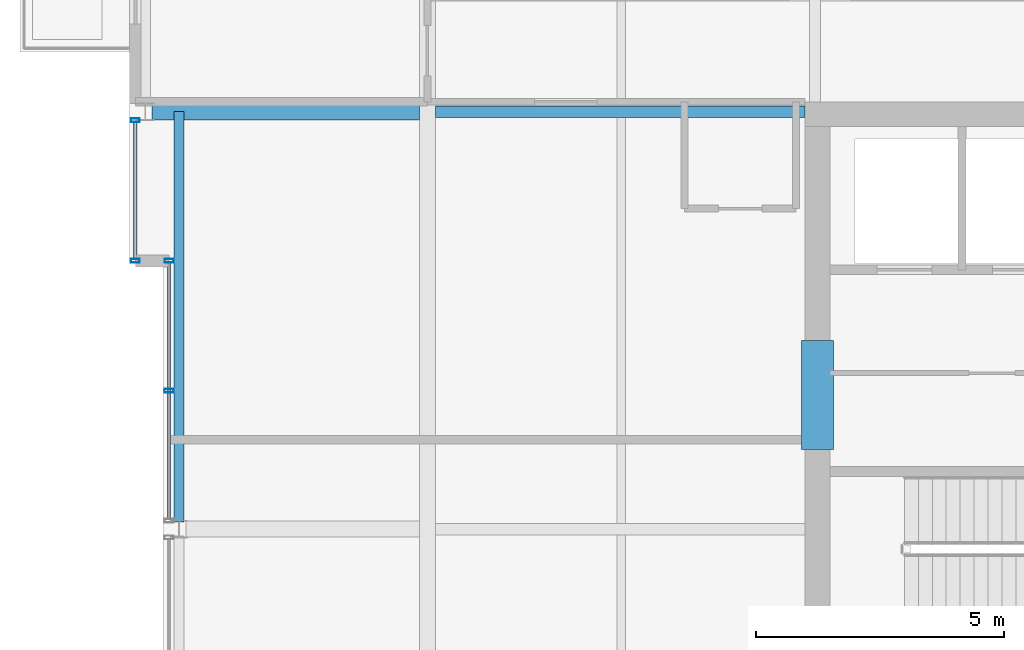
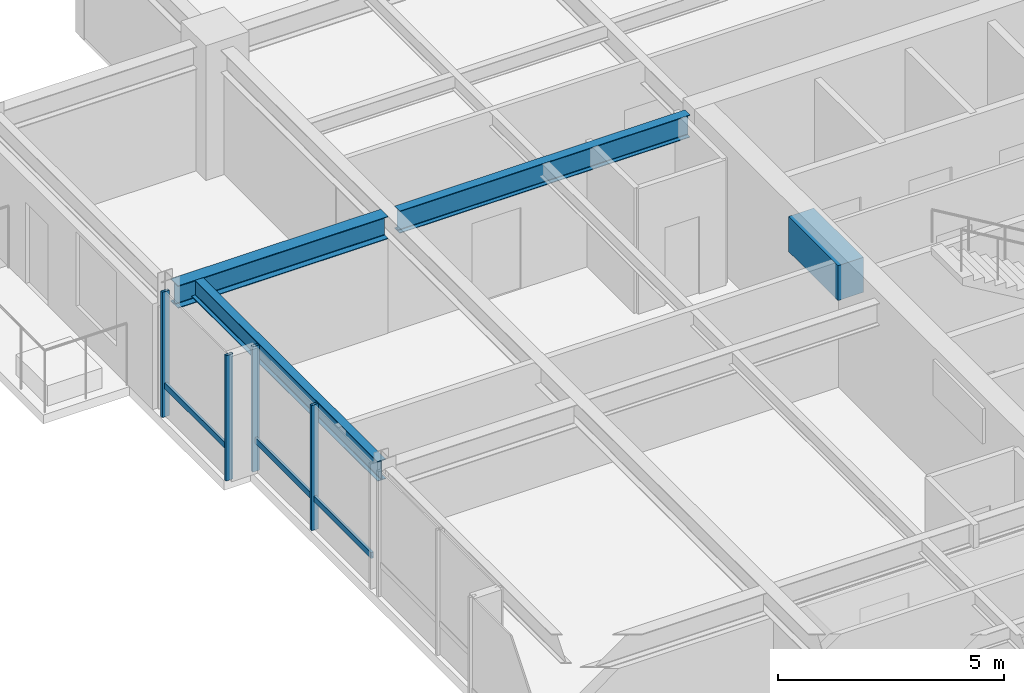
# One storey, part 13 of 33: 6 members, 4 beams, 2 elements without a shape of their own.
"""IFC4 building model written with IfcOpenShell, lengths in metres."""

from ifc_helpers import new_model, si_unit, direction, frame, origin, origin_2d, place, context, subcontext, project, spatial, rectangle, hollow_rectangle, i_section, extrude, material, layer, layer_set, material_profile, profile_set, type_object, element, aggregate, save


model = new_model("IFC4")

# Units and contexts
model_context = context("Model", 3, precision=1e-05, world=origin(), true_north=direction((0.0, 1.0)))
body_context = subcontext(model_context, "Body", "Model", "MODEL_VIEW")
ifc_project = project(units=[si_unit("LENGTHUNIT", "METRE"), si_unit("AREAUNIT", "SQUARE_METRE"), si_unit("VOLUMEUNIT", "CUBIC_METRE"), si_unit("PLANEANGLEUNIT", "RADIAN"), si_unit("MASSUNIT", "GRAM", prefix="KILO")], contexts=[model_context])

# Site, building, storey
site_placement = place(None, origin())
site = spatial("IfcSite", under=ifc_project, at=site_placement, CompositionType="ELEMENT")
building_placement = place(site_placement, origin())
building = spatial("IfcBuilding", under=site, at=building_placement, Name="Drelvath Grand Hotel", CompositionType="ELEMENT")
storey_placement = place(building_placement, frame((0.0, 0.0, 283.25)))
storey = spatial("IfcBuildingStorey", under=building, at=storey_placement, Name="L74", CompositionType="ELEMENT", Elevation=283.25)

# Beam
ifc_material_1 = material(Name="Concrete f'c 55 MPa", Category="concrete")
ifc_material_profile_1 = material_profile(ifc_material_1, rectangle(XDim=0.64990234375, YDim=0.949951171875, at=origin_2d()), Name="CB650X950")
ifc_profile_set_1 = profile_set([ifc_material_profile_1], Name="Concrete f'c 55 MPa")
beam_type_1 = type_object("IfcBeamType", Name="Core Coupling Lintel CB650X950", PredefinedType="LINTEL", material=ifc_profile_set_1)
beam_1_placement = place(storey_placement, frame((-8.35009765625, 28.60009765625, 2.9150390625), z_axis=(0.0, 1.0, 0.0), x_axis=(-1.0, 0.0, 0.0)))
element("IfcBeam", 1, at=beam_1_placement, inside=storey, type_object=beam_type_1, Name="L74 Core Coupling Lintel WN", PredefinedType="LINTEL", context=body_context, shape_type="SweptSolid", body=[
    extrude(rectangle(XDim=0.64990234375, YDim=0.949951171875, at=origin_2d()), origin(), (0.0, 0.0, 1.0), 2.199951171875),
])

# Curtain wall, member
ifc_material_2 = material(Name="Platinum-Mist Anodised Aluminium Frame", Category="aluminium")
ifc_layer = layer(ifc_material_2, 0.199951171875)
ifc_layer_set = layer_set([ifc_layer], Name="Platinum-Mist Anodised Aluminium Frame")
curtain_wall_type = type_object("IfcCurtainWallType", Name="Stick Curtain Wall CW-05 Platinum Mist High-Rise", PredefinedType="NOTDEFINED", material=ifc_layer_set)
curtain_wall_1_placement = place(storey_placement, origin())
curtain_wall_1 = element("IfcCurtainWall", 2, at=curtain_wall_1_placement, inside=storey, type_object=curtain_wall_type, Name="L74 CW-05 Curtain Wall CW05-L74-WM2", PredefinedType="NOTDEFINED")
ifc_material_profile_2 = material_profile(ifc_material_2, hollow_rectangle(XDim=0.06494140625, YDim=0.159912109375, WallThickness=0.00390625, at=origin_2d()), Name="HSS160X65X4")
ifc_profile_set_2 = profile_set([ifc_material_profile_2], Name="Platinum-Mist Anodised Aluminium Frame")
member_type_1 = type_object("IfcMemberType", Name="Curtain Wall Horizontal Transom CW-05 HSS160X65X4", PredefinedType="USERDEFINED", material=ifc_profile_set_2)
member_1_placement = place(storey_placement, frame((-21.39990234375, 27.2099609375, 0.847412109375), z_axis=(0.0, 1.0, 0.0), x_axis=(-1.0, 0.0, 0.0)))
member_1 = element("IfcMember", 3, at=member_1_placement, type_object=member_type_1, Name="CW05-L74-WM2 Sill Transom", ObjectType="TRANSOM", PredefinedType="USERDEFINED", context=body_context, shape_type="SweptSolid", body=[
    extrude(hollow_rectangle(XDim=0.06494140625, YDim=0.159912109375, WallThickness=0.00390625, at=origin_2d()), origin(), (0.0, 0.0, 1.0), 5.150146484375),
])

curtain_wall_2_placement = place(storey_placement, origin())
curtain_wall_2 = element("IfcCurtainWall", 4, at=curtain_wall_2_placement, inside=storey, type_object=curtain_wall_type, Name="L74 CW-05 Curtain Wall CW05-L74-WN1", PredefinedType="NOTDEFINED")
member_2_placement = place(storey_placement, frame((-22.080078125, 32.43994140625, 0.847412109375), z_axis=(0.0, 1.0, 0.0), x_axis=(-1.0, 0.0, 0.0)))
member_2 = element("IfcMember", 5, at=member_2_placement, type_object=member_type_1, Name="CW05-L74-WN1 Sill Transom", ObjectType="TRANSOM", PredefinedType="USERDEFINED", context=body_context, shape_type="SweptSolid", body=[
    extrude(hollow_rectangle(XDim=0.06494140625, YDim=0.159912109375, WallThickness=0.00390625, at=origin_2d()), origin(), (0.0, 0.0, 1.0), 2.75),
])

# Member
ifc_material_profile_3 = material_profile(ifc_material_2, hollow_rectangle(XDim=0.074951171875, YDim=0.179931640625, WallThickness=0.0048828125, at=origin_2d()), Name="HSS180X75X5")
ifc_profile_set_3 = profile_set([ifc_material_profile_3], Name="Platinum-Mist Anodised Aluminium Frame")
member_type_2 = type_object("IfcMemberType", Name="Curtain Wall Vertical Mullion CW-05 HSS180X75X5", PredefinedType="MULLION", material=ifc_profile_set_3)
member_3_placement = place(storey_placement, frame((-21.39990234375, 29.784912109375, 0.0), z_axis=(0.0, 0.0, 1.0), x_axis=(0.0, 1.0, 0.0)))
member_3 = element("IfcMember", 6, at=member_3_placement, type_object=member_type_2, Name="CW05-L74-WM2 Mullion 2", PredefinedType="MULLION", context=body_context, shape_type="SweptSolid", body=[
    extrude(hollow_rectangle(XDim=0.074951171875, YDim=0.179931640625, WallThickness=0.0048828125, at=origin_2d()), origin(), (0.0, 0.0, 1.0), 3.389892578125),
])

member_4_placement = place(storey_placement, frame((-21.39990234375, 32.39990234375, 0.0), z_axis=(0.0, 0.0, 1.0), x_axis=(0.0, 1.0, 0.0)))
member_4 = element("IfcMember", 7, at=member_4_placement, type_object=member_type_2, Name="CW05-L74-WM2 Mullion 3", PredefinedType="MULLION", context=body_context, shape_type="SweptSolid", body=[
    extrude(hollow_rectangle(XDim=0.074951171875, YDim=0.179931640625, WallThickness=0.0048828125, at=origin_2d()), origin(), (0.0, 0.0, 1.0), 3.389892578125),
])

aggregate(curtain_wall_1, [member_3, member_4, member_1])

member_5_placement = place(storey_placement, frame((-22.080078125, 32.39990234375, 0.0), z_axis=(0.0, 0.0, 1.0), x_axis=(0.0, 1.0, 0.0)))
member_5 = element("IfcMember", 8, at=member_5_placement, type_object=member_type_2, Name="CW05-L74-WN1 Mullion 1", PredefinedType="MULLION", context=body_context, shape_type="SweptSolid", body=[
    extrude(hollow_rectangle(XDim=0.074951171875, YDim=0.179931640625, WallThickness=0.0048828125, at=origin_2d()), origin(), (0.0, 0.0, 1.0), 3.389892578125),
])

member_6_placement = place(storey_placement, frame((-22.080078125, 35.22998046875, 0.0), z_axis=(0.0, 0.0, 1.0), x_axis=(0.0, 1.0, 0.0)))
member_6 = element("IfcMember", 9, at=member_6_placement, type_object=member_type_2, Name="CW05-L74-WN1 Mullion 2", PredefinedType="MULLION", context=body_context, shape_type="SweptSolid", body=[
    extrude(hollow_rectangle(XDim=0.074951171875, YDim=0.179931640625, WallThickness=0.0048828125, at=origin_2d()), origin(), (0.0, 0.0, 1.0), 3.389892578125),
])

aggregate(curtain_wall_2, [member_5, member_6, member_2])

# Beams
ifc_material_3 = material(Name="Steel ASTM A992 Gr 50", Category="steel")
ifc_material_profile_4 = material_profile(ifc_material_3, i_section(OverallWidth=0.210205078125, OverallDepth=0.53662109375, WebThickness=0.010986328125, FlangeThickness=0.017333984375, FilletRadius=0.01806640625, at=origin_2d()), Name="W21X68")
ifc_profile_set_4 = profile_set([ifc_material_profile_4], Name="Steel ASTM A992 Gr 50")
beam_type_2 = type_object("IfcBeamType", Name="Perimeter Spandrel Beam W21X68", PredefinedType="SPANDREL", material=ifc_profile_set_4)
beam_2_placement = place(storey_placement, frame((-21.199951171875, 27.139892578125, 3.12158203125), z_axis=(0.0, 1.0, 0.0), x_axis=(-1.0, 0.0, 0.0)))
element("IfcBeam", 10, at=beam_2_placement, inside=storey, type_object=beam_type_2, Name="L74 Spandrel West Mid N", PredefinedType="SPANDREL", context=body_context, shape_type="SweptSolid", body=[
    extrude(i_section(OverallWidth=0.210205078125, OverallDepth=0.53662109375, WebThickness=0.010986328125, FlangeThickness=0.017333984375, FilletRadius=0.01806640625, at=origin_2d()), origin(), (0.0, 0.0, 1.0), 8.260009765625),
])
ifc_material_profile_5 = material_profile(ifc_material_3, i_section(OverallWidth=0.323974609375, OverallDepth=0.611083984375, WebThickness=0.0126953125, FlangeThickness=0.01904296875, FilletRadius=0.02197265625, at=origin_2d()), Name="W24X104")
ifc_profile_set_5 = profile_set([ifc_material_profile_5], Name="Steel ASTM A992 Gr 50")
beam_type_3 = type_object("IfcBeamType", Name="Primary Floor Girder W24X104", PredefinedType="BEAM", material=ifc_profile_set_5)
beam_3_placement = place(storey_placement, frame((-21.739990234375, 35.39990234375, 3.08447265625), z_axis=(1.0, 0.0, 0.0), x_axis=(0.0, 1.0, 0.0)))
element("IfcBeam", 11, at=beam_3_placement, inside=storey, type_object=beam_type_3, Name="L74 West Wing Girder F", PredefinedType="BEAM", context=body_context, shape_type="SweptSolid", body=[
    extrude(i_section(OverallWidth=0.323974609375, OverallDepth=0.611083984375, WebThickness=0.0126953125, FlangeThickness=0.01904296875, FilletRadius=0.02197265625, at=origin_2d()), origin(), (0.0, 0.0, 1.0), 5.3779296875),
])
ifc_material_profile_6 = material_profile(ifc_material_3, i_section(OverallWidth=0.228271484375, OverallDepth=0.607666015625, WebThickness=0.01123046875, FlangeThickness=0.017333984375, FilletRadius=0.02001953125, at=origin_2d()), Name="W24X76")
ifc_profile_set_6 = profile_set([ifc_material_profile_6], Name="Steel ASTM A992 Gr 50")
beam_type_4 = type_object("IfcBeamType", Name="Primary Floor Girder W24X76", PredefinedType="BEAM", material=ifc_profile_set_6)
beam_4_placement = place(storey_placement, frame((-16.0380859375, 35.39990234375, 3.086181640625), z_axis=(1.0, 0.0, 0.0), x_axis=(0.0, 1.0, 0.0)))
element("IfcBeam", 12, at=beam_4_placement, inside=storey, type_object=beam_type_4, Name="L74 West Core Tie F", PredefinedType="BEAM", context=body_context, shape_type="SweptSolid", body=[
    extrude(i_section(OverallWidth=0.228271484375, OverallDepth=0.607666015625, WebThickness=0.01123046875, FlangeThickness=0.017333984375, FilletRadius=0.02001953125, at=origin_2d()), origin(), (0.0, 0.0, 1.0), 7.43798828125),
])

save(model, "model.ifc")
